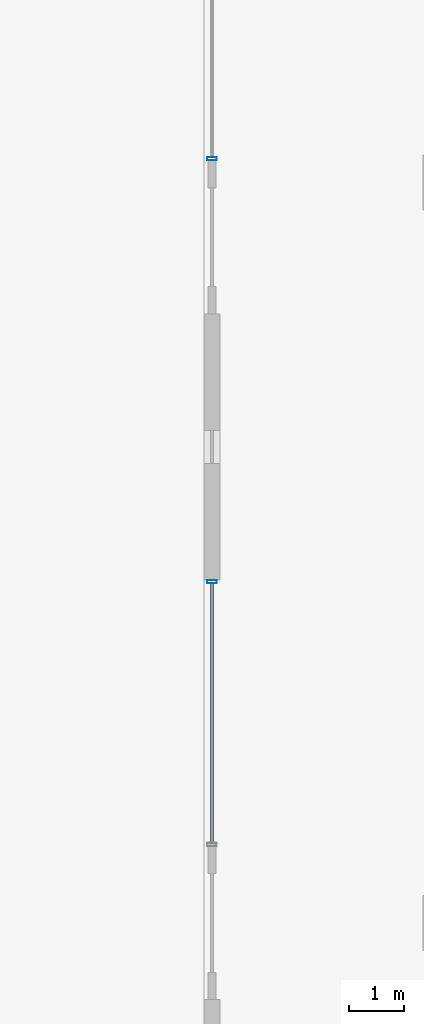
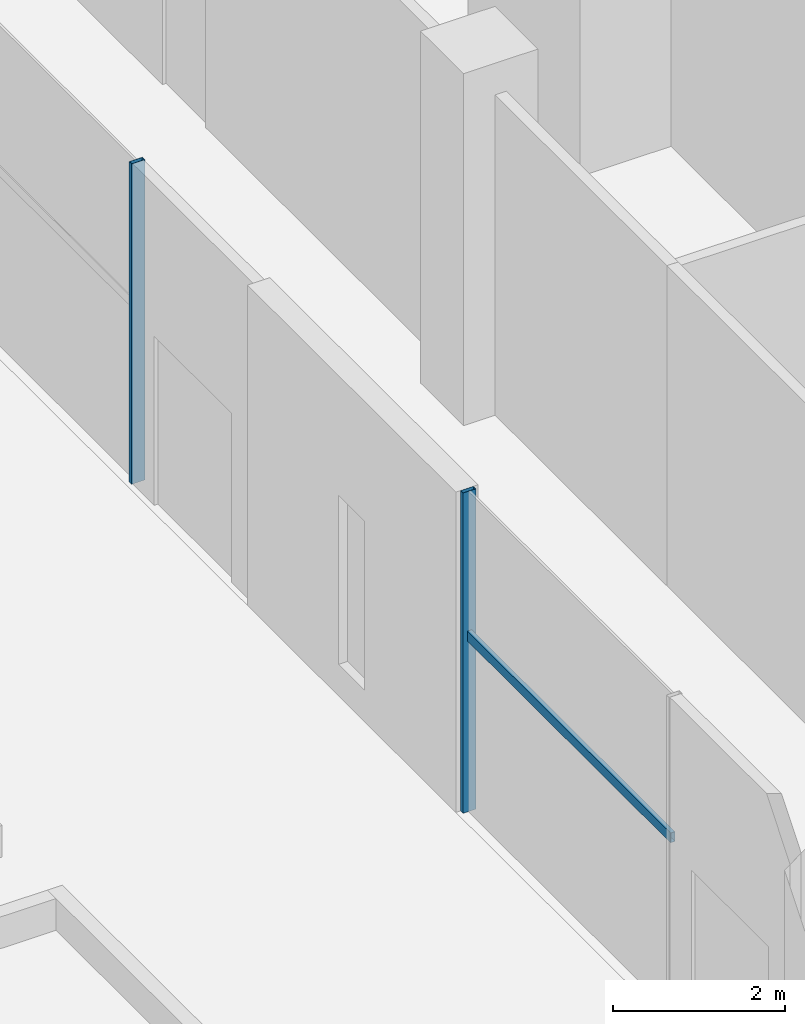
# One storey, part 8 of 49: 3 members, 2 elements without a shape of their own.
"""IFC4 building model written with IfcOpenShell, lengths in metres."""

from ifc_helpers import new_model, si_unit, direction, frame, origin, origin_2d, place, context, subcontext, project, spatial, hollow_rectangle, extrude, material, material_profile, profile_set, type_object, element, aggregate, save


model = new_model("IFC4")

# Units and contexts
model_context = context("Model", 3, precision=1e-05, world=origin(), true_north=direction((0.0, 1.0)))
body_context = subcontext(model_context, "Body", "Model", "MODEL_VIEW")
ifc_project = project(units=[si_unit("LENGTHUNIT", "METRE"), si_unit("AREAUNIT", "SQUARE_METRE"), si_unit("VOLUMEUNIT", "CUBIC_METRE"), si_unit("PLANEANGLEUNIT", "RADIAN"), si_unit("MASSUNIT", "GRAM", prefix="KILO")], contexts=[model_context])

# Site, building, storey
site_placement = place(None, origin())
site = spatial("IfcSite", under=ifc_project, at=site_placement, CompositionType="ELEMENT")
building_placement = place(site_placement, origin())
building = spatial("IfcBuilding", under=site, at=building_placement, Name="Altepetl Exchange Towers", CompositionType="ELEMENT")
storey_placement = place(building_placement, frame((0.0, 0.0, 11.5)))
storey = spatial("IfcBuildingStorey", under=building, at=storey_placement, Name="L02 Exchange podium", CompositionType="ELEMENT", Elevation=11.5)

# Curtain wall, member
ifc_material_1 = material(Name="Aluminium 6063-T6 glazing", Category="aluminium")
curtain_wall_type = type_object("IfcCurtainWallType", Name="Podium storefront system", PredefinedType="NOTDEFINED", material=ifc_material_1)
curtain_wall_1_placement = place(storey_placement, origin())
curtain_wall_1 = element("IfcCurtainWall", 1, at=curtain_wall_1_placement, inside=storey, type_object=curtain_wall_type, Name="CW5 run", PredefinedType="NOTDEFINED")
ifc_material_2 = material(Name="Aluminium 6063-T6", Category="aluminium")
ifc_material_profile_1 = material_profile(ifc_material_2, hollow_rectangle(XDim=0.06005859375, YDim=0.175048828125, WallThickness=0.0029296875, at=origin_2d()), Name="Mullion 60x175 aluminium")
ifc_profile_set_1 = profile_set([ifc_material_profile_1], Name="Aluminium 6063-T6")
member_type_1 = type_object("IfcMemberType", Name="Mullion 60x175 aluminium", PredefinedType="MULLION", material=ifc_profile_set_1)
member_1_placement = place(storey_placement, frame((18.14990234375, 63.429931640625, 0.0), z_axis=(0.0, 0.0, 1.0), x_axis=(0.0, -1.0, 0.0)))
member_1 = element("IfcMember", 2, at=member_1_placement, type_object=member_type_1, Name="MU4 mullion", PredefinedType="MULLION", context=body_context, shape_type="SweptSolid", body=[
    extrude(hollow_rectangle(XDim=0.06005859375, YDim=0.175048828125, WallThickness=0.0029296875, at=origin_2d()), origin(), (0.0, 0.0, 1.0), 4.550048828125),
])
aggregate(curtain_wall_1, [member_1])

# Curtain wall, members
curtain_wall_2_placement = place(storey_placement, origin())
curtain_wall_2 = element("IfcCurtainWall", 3, at=curtain_wall_2_placement, inside=storey, type_object=curtain_wall_type, Name="CW5 run", PredefinedType="NOTDEFINED")
member_2_placement = place(storey_placement, frame((18.14990234375, 55.719970703125, 0.0), z_axis=(0.0, 0.0, 1.0), x_axis=(0.0, -1.0, 0.0)))
member_2 = element("IfcMember", 4, at=member_2_placement, type_object=member_type_1, Name="MU4 mullion", PredefinedType="MULLION", context=body_context, shape_type="SweptSolid", body=[
    extrude(hollow_rectangle(XDim=0.06005859375, YDim=0.175048828125, WallThickness=0.0029296875, at=origin_2d()), origin(), (0.0, 0.0, 1.0), 4.550048828125),
])
ifc_material_profile_2 = material_profile(ifc_material_2, hollow_rectangle(XDim=0.06005859375, YDim=0.139892578125, WallThickness=0.0029296875, at=origin_2d()), Name="Transom 60x140 aluminium")
ifc_profile_set_2 = profile_set([ifc_material_profile_2], Name="Aluminium 6063-T6")
member_type_2 = type_object("IfcMemberType", Name="Transom 60x140 aluminium", PredefinedType="USERDEFINED", material=ifc_profile_set_2)
member_3_placement = place(storey_placement, frame((18.14990234375, 55.68994140625, 2.5), z_axis=(0.0, -1.0, 0.0), x_axis=(1.0, 0.0, 0.0)))
member_3 = element("IfcMember", 5, at=member_3_placement, type_object=member_type_2, Name="TR3 transom", ObjectType="TRANSOM", PredefinedType="USERDEFINED", context=body_context, shape_type="SweptSolid", body=[
    extrude(hollow_rectangle(XDim=0.06005859375, YDim=0.139892578125, WallThickness=0.0029296875, at=origin_2d()), origin(), (0.0, 0.0, 1.0), 4.72998046875),
])
aggregate(curtain_wall_2, [member_2, member_3])

save(model, "model.ifc")
